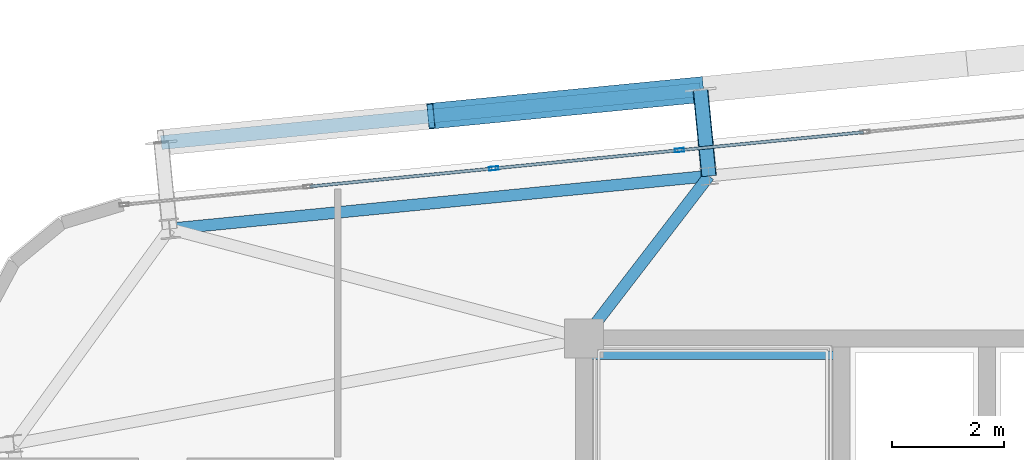
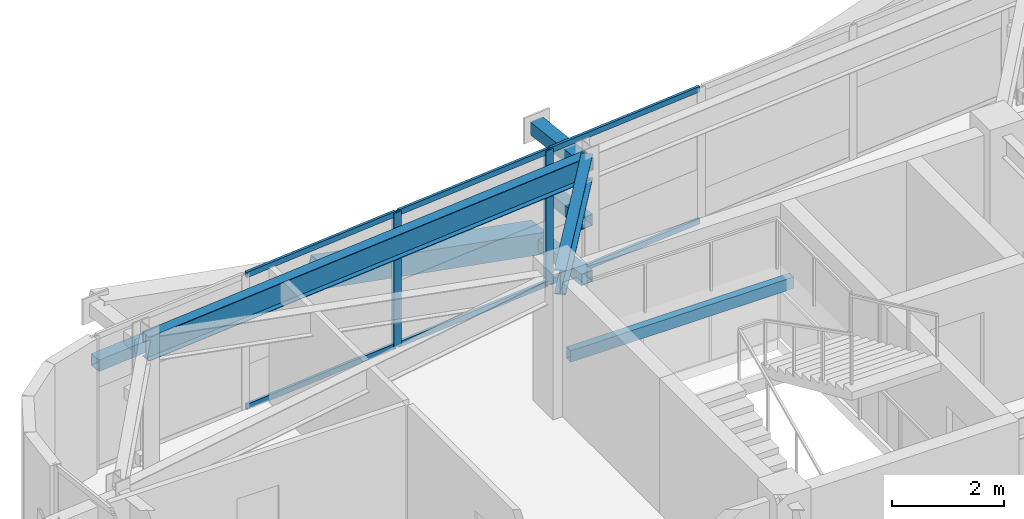
# One storey, part 28 of 53: 13 members, 3 beams, 1 element without a shape of its own.
"""IFC4 building model written with IfcOpenShell, lengths in metres."""

from ifc_helpers import new_model, si_unit, direction, frame, origin, origin_2d, place, context, subcontext, project, spatial, hollow_rectangle, i_section, extrude, source, transform, mapped, material, layer, layer_set, material_profile, profile_set, type_object, element, aggregate, save


model = new_model("IFC4")

# Units and contexts
model_context = context("Model", 3, precision=1e-05, world=origin(), true_north=direction((0.0, 1.0)))
body_context = subcontext(model_context, "Body", "Model", "MODEL_VIEW")
ifc_project = project(units=[si_unit("LENGTHUNIT", "METRE"), si_unit("AREAUNIT", "SQUARE_METRE"), si_unit("VOLUMEUNIT", "CUBIC_METRE"), si_unit("PLANEANGLEUNIT", "RADIAN"), si_unit("MASSUNIT", "GRAM", prefix="KILO")], contexts=[model_context])

# Site, building, storey
site_placement = place(None, origin())
site = spatial("IfcSite", under=ifc_project, at=site_placement, CompositionType="ELEMENT")
building_placement = place(site_placement, origin())
building = spatial("IfcBuilding", under=site, at=building_placement, Name="Taldren Reach Tower", CompositionType="ELEMENT")
storey_placement = place(building_placement, frame((0.0, 0.0, 84.0)))
storey = spatial("IfcBuildingStorey", under=building, at=storey_placement, Name="L25", CompositionType="ELEMENT", Elevation=84.0)

# Beams
ifc_material_1 = material(Name="Steel Gr 350 (350PLUS)", Category="steel")
ifc_material_profile_1 = material_profile(ifc_material_1, i_section(OverallWidth=0.208984375, OverallDepth=0.528076171875, WebThickness=0.009521484375, FlangeThickness=0.01318359375, at=origin_2d()), Name="530UB82.0")
ifc_profile_set_1 = profile_set([ifc_material_profile_1], Name="Steel Gr 350 (350PLUS)")
beam_type_1 = type_object("IfcBeamType", Name="SP-UB530B", PredefinedType="SPANDREL", material=ifc_profile_set_1)
shared_shape_1 = source(origin(), body_context, "Body", "SweptSolid", [
    extrude(i_section(OverallWidth=0.208984375, OverallDepth=0.528076171875, WebThickness=0.009521484375, FlangeThickness=0.01318359375, at=origin_2d()), origin(), (0.0, 0.0, 1.0), 9.679931640625),
])
beam_1_placement = place(storey_placement, frame((21.230712890625, 34.9013671875, 2.666015625), z_axis=(-0.995227612658, -0.097580730699, 0.0), x_axis=(0.097580730699, -0.995227612658, 0.0)))
element("IfcBeam", 1, at=beam_1_placement, inside=storey, type_object=beam_type_1, Name="Perimeter spandrel B2 N2-N1 L25", PredefinedType="SPANDREL", context=body_context, shape_type="MappedRepresentation", body=[
    mapped(shared_shape_1, transform((0.0, 0.0, 0.0), scale=1.0)),
])
ifc_material_profile_2 = material_profile(ifc_material_1, i_section(OverallWidth=0.208984375, OverallDepth=0.532958984375, WebThickness=0.01025390625, FlangeThickness=0.015625, at=origin_2d()), Name="530UB92.4")
ifc_profile_set_2 = profile_set([ifc_material_profile_2], Name="Steel Gr 350 (350PLUS)")
beam_type_2 = type_object("IfcBeamType", Name="BM-UB530A", PredefinedType="BEAM", material=ifc_profile_set_2)
shared_shape_2 = source(origin(), body_context, "Body", "SweptSolid", [
    extrude(i_section(OverallWidth=0.208984375, OverallDepth=0.532958984375, WebThickness=0.01025390625, FlangeThickness=0.015625, at=origin_2d()), origin(), (0.0, 0.0, 1.0), 3.65966796875),
])
beam_2_placement = place(storey_placement, frame((19.0, 32.0, 2.66357421875), z_axis=(0.609520535722, 0.792770279799, 0.0), x_axis=(-0.792770279799, 0.609520535722, 0.0)))
element("IfcBeam", 2, at=beam_2_placement, inside=storey, type_object=beam_type_2, Name="Primary floor girder B2-N2 L25", PredefinedType="BEAM", context=body_context, shape_type="MappedRepresentation", body=[
    mapped(shared_shape_2, transform((0.0, 0.0, 0.0), scale=1.0)),
])

# Members
ifc_material_2 = material(Name="Steel Gr 450 (C450L0)", Category="steel")
ifc_material_profile_3 = material_profile(ifc_material_2, hollow_rectangle(XDim=0.27490234375, YDim=0.27490234375, WallThickness=0.00927734375, at=origin_2d()), Name="275x275x9.3SHS")
ifc_profile_set_3 = profile_set([ifc_material_profile_3], Name="Steel Gr 450 (C450L0)")
member_type_1 = type_object("IfcMemberType", Name="MB-TIE273", PredefinedType="STRUT", material=ifc_profile_set_3)
shared_shape_3 = source(origin(), body_context, "Body", "SweptSolid", [
    extrude(hollow_rectangle(XDim=0.27490234375, YDim=0.27490234375, WallThickness=0.00927734375, at=origin_2d()), origin(), (0.0, 0.0, 1.0), 1.550048828125),
])
member_1_placement = place(storey_placement, frame((21.230712890625, 34.9013671875, 2.64990234375), z_axis=(-0.097647892962, 0.9952210252, 0.0), x_axis=(-0.9952210252, -0.097647892962, 0.0)))
element("IfcMember", 3, at=member_1_placement, inside=storey, type_object=member_type_1, Name="Exoskeleton diaphragm tie strut B2-N2 L25", PredefinedType="STRUT", context=body_context, shape_type="MappedRepresentation", body=[
    mapped(shared_shape_3, transform((0.0, 0.0, 0.0), scale=1.0)),
])
ifc_material_profile_4 = material_profile(ifc_material_2, hollow_rectangle(XDim=0.4599609375, YDim=0.4599609375, WallThickness=0.01611328125, at=origin_2d()), Name="460x460x16.0SHS")
ifc_profile_set_4 = profile_set([ifc_material_profile_4], Name="Steel Gr 450 (C450L0)")
member_type_2 = type_object("IfcMemberType", Name="MB-EXO457", PredefinedType="BRACE", material=ifc_profile_set_4)
shared_shape_4 = source(origin(), body_context, "Body", "SweptSolid", [
    extrude(hollow_rectangle(XDim=0.4599609375, YDim=0.4599609375, WallThickness=0.01611328125, at=origin_2d()), origin(), (0.0, 0.0, 1.0), 4.990234375),
])
member_2_placement = place(storey_placement, frame((21.079345703125, 36.444091796875, 0.219970703125), z_axis=(-0.965271056716, -0.094667992638, 0.243494883389), x_axis=(0.097605711627, -0.995225162995, 0.0)))
element("IfcMember", 4, at=member_2_placement, inside=storey, type_object=member_type_2, Name="Exoskeleton Diagrid Brace B2-N1 L25", PredefinedType="BRACE", context=body_context, shape_type="MappedRepresentation", body=[
    mapped(shared_shape_4, transform((0.0, 0.0, 0.0), scale=1.0)),
])
ifc_material_3 = material(Name="Steel Gr 350 (C350L0)", Category="steel")
ifc_material_profile_5 = material_profile(ifc_material_3, hollow_rectangle(XDim=0.25, YDim=0.25, WallThickness=0.010009765625, at=origin_2d()), Name="250x250x10.0SHS")
ifc_profile_set_5 = profile_set([ifc_material_profile_5], Name="Steel Gr 350 (C350L0)")
member_type_3 = type_object("IfcMemberType", Name="MB-POST250", PredefinedType="POST", material=ifc_profile_set_5)
shared_shape_5 = source(origin(), body_context, "Body", "SweptSolid", [
    extrude(hollow_rectangle(XDim=0.25, YDim=0.25, WallThickness=0.010009765625, at=origin_2d()), origin(), (0.0, 0.0, 1.0), 9.679931640625),
])
member_3_placement = place(storey_placement, frame((11.445556640625, 35.49951171875, 1.43505859375), z_axis=(0.995227612658, 0.097580730699, 0.0), x_axis=(-0.097580730699, 0.995227612658, 0.0)))
element("IfcMember", 5, at=member_3_placement, inside=storey, type_object=member_type_3, Name="Exoskeleton mid-height ring chord B2-N1 L25", PredefinedType="POST", context=body_context, shape_type="MappedRepresentation", body=[
    mapped(shared_shape_5, transform((0.0, 0.0, 0.0), scale=1.0)),
])
shared_shape_6 = source(origin(), body_context, "Body", "SweptSolid", [
    extrude(hollow_rectangle(XDim=0.25, YDim=0.25, WallThickness=0.010009765625, at=origin_2d()), origin(), (0.0, 0.0, 1.0), 1.550048828125),
])
for number, where, z_axis, x_axis, name in (
    (6, (21.230712890625, 34.9013671875, 0.219970703125), (-0.097647892962, 0.9952210252, 0.0), (-0.9952210252, -0.097647892962, 0.0), "Exoskeleton base diaphragm tie strut B2-N2 L25"),
    (7, (21.230712890625, 34.9013671875, 1.43505859375), (-0.097647892962, 0.9952210252, 0.0), (-0.9952210252, -0.097647892962, 0.0), "Exoskeleton mid-tier diaphragm tie B2-N2 L25"),
):
    element("IfcMember", number, at=place(storey_placement, frame(where, z_axis=z_axis, x_axis=x_axis)), inside=storey, type_object=member_type_3, Name=name, PredefinedType="POST", context=body_context, shape_type="MappedRepresentation", body=[
        mapped(shared_shape_6, transform((0.0, 0.0, 0.0), scale=1.0)),
    ])

# Curtain wall, members
ifc_material_4 = material(Name="Aluminium and Low-E Glass Unitised System", Category="aluminium")
ifc_layer = layer(ifc_material_4, 0.159912109375)
ifc_layer_set = layer_set([ifc_layer], Name="Aluminium and Low-E Glass Unitised System")
curtain_wall_type = type_object("IfcCurtainWallType", Name="CW-SYS-3", PredefinedType="NOTDEFINED", material=ifc_layer_set)
curtain_wall_placement = place(storey_placement, origin())
curtain_wall = element("IfcCurtainWall", 8, at=curtain_wall_placement, inside=storey, type_object=curtain_wall_type, Name="Unitised curtain wall CW-L25-N", PredefinedType="NOTDEFINED")
ifc_material_5 = material(Name="Anodised Aluminium 6063-T6", Category="aluminium")
ifc_material_profile_6 = material_profile(ifc_material_5, hollow_rectangle(XDim=0.06494140625, YDim=0.1650390625, WallThickness=0.00390625, at=origin_2d()), Name="ALU-165x65x4RHS")
ifc_profile_set_6 = profile_set([ifc_material_profile_6], Name="Anodised Aluminium 6063-T6")
member_type_4 = type_object("IfcMemberType", Name="CW-MUL-165", PredefinedType="MULLION", material=ifc_profile_set_6)
shared_shape_7 = source(origin(), body_context, "Body", "SweptSolid", [
    extrude(hollow_rectangle(XDim=0.06494140625, YDim=0.1650390625, WallThickness=0.00390625, at=origin_2d()), origin(), (0.0, 0.0, 1.0), 2.929931640625),
])
member_4_placement = place(storey_placement, frame((20.703125, 35.3623046875, 0.0), z_axis=(0.0, 0.0, 1.0), x_axis=(0.097582999046, -0.995227390247, 0.0)))
member_4 = element("IfcMember", 9, at=member_4_placement, type_object=member_type_4, Name="CW-3 mullion 13", PredefinedType="MULLION", context=body_context, shape_type="MappedRepresentation", body=[
    mapped(shared_shape_7, transform((0.0, 0.0, 0.0), scale=1.0)),
])
member_5_placement = place(storey_placement, frame((17.3857421875, 35.036865234375, 0.0), z_axis=(0.0, 0.0, 1.0), x_axis=(0.097582999046, -0.995227390247, 0.0)))
member_5 = element("IfcMember", 10, at=member_5_placement, type_object=member_type_4, Name="CW-3 mullion 14", PredefinedType="MULLION", context=body_context, shape_type="MappedRepresentation", body=[
    mapped(shared_shape_7, transform((0.0, 0.0, 0.0), scale=1.0)),
])
ifc_material_profile_7 = material_profile(ifc_material_5, hollow_rectangle(XDim=0.054931640625, YDim=0.1201171875, WallThickness=0.0029296875, at=origin_2d()), Name="ALU-120x55x3RHS")
ifc_profile_set_7 = profile_set([ifc_material_profile_7], Name="Anodised Aluminium 6063-T6")
member_type_5 = type_object("IfcMemberType", Name="CW-TRN-135", PredefinedType="USERDEFINED", material=ifc_profile_set_7)
shared_shape_8 = source(origin(), body_context, "Body", "SweptSolid", [
    extrude(hollow_rectangle(XDim=0.054931640625, YDim=0.1201171875, WallThickness=0.0029296875, at=origin_2d()), origin(), (0.0, 0.0, 1.0), 3.268310546875),
])
member_6_placement = place(storey_placement, frame((23.98828125, 35.684326171875, 0.027587890625), z_axis=(-0.99522980512, -0.097558367146, 0.0), x_axis=(0.097558367146, -0.99522980512, 0.0)))
member_6 = element("IfcMember", 11, at=member_6_placement, type_object=member_type_5, Name="CW-3 transom 12.1", ObjectType="TRANSOM", PredefinedType="USERDEFINED", context=body_context, shape_type="MappedRepresentation", body=[
    mapped(shared_shape_8, transform((0.0, 0.0, 0.0), scale=1.0)),
])
member_7_placement = place(storey_placement, frame((23.98828125, 35.684326171875, 2.902587890625), z_axis=(-0.99522980512, -0.097558367146, 0.0), x_axis=(0.097558367146, -0.99522980512, 0.0)))
member_7 = element("IfcMember", 12, at=member_7_placement, type_object=member_type_5, Name="CW-3 transom 12.2", ObjectType="TRANSOM", PredefinedType="USERDEFINED", context=body_context, shape_type="MappedRepresentation", body=[
    mapped(shared_shape_8, transform((0.0, 0.0, 0.0), scale=1.0)),
])
member_8_placement = place(storey_placement, frame((17.353271484375, 35.03369140625, 0.027587890625), z_axis=(-0.99522980512, -0.097558367146, 0.0), x_axis=(0.097558367146, -0.99522980512, 0.0)))
member_8 = element("IfcMember", 13, at=member_8_placement, type_object=member_type_5, Name="CW-3 transom 14.1", ObjectType="TRANSOM", PredefinedType="USERDEFINED", context=body_context, shape_type="MappedRepresentation", body=[
    mapped(shared_shape_8, transform((0.0, 0.0, 0.0), scale=1.0)),
])
member_9_placement = place(storey_placement, frame((17.353271484375, 35.03369140625, 2.902587890625), z_axis=(-0.99522980512, -0.097558367146, 0.0), x_axis=(0.097558367146, -0.99522980512, 0.0)))
member_9 = element("IfcMember", 14, at=member_9_placement, type_object=member_type_5, Name="CW-3 transom 14.2", ObjectType="TRANSOM", PredefinedType="USERDEFINED", context=body_context, shape_type="MappedRepresentation", body=[
    mapped(shared_shape_8, transform((0.0, 0.0, 0.0), scale=1.0)),
])
shared_shape_9 = source(origin(), body_context, "Body", "SweptSolid", [
    extrude(hollow_rectangle(XDim=0.054931640625, YDim=0.1201171875, WallThickness=0.0029296875, at=origin_2d()), origin(), (0.0, 0.0, 1.0), 3.2685546875),
])
member_10_placement = place(storey_placement, frame((20.6708984375, 35.359130859375, 0.027587890625), z_axis=(-0.995223261527, -0.09762509778, 0.0), x_axis=(0.09762509778, -0.995223261527, 0.0)))
member_10 = element("IfcMember", 15, at=member_10_placement, type_object=member_type_5, Name="CW-3 transom 13.1", ObjectType="TRANSOM", PredefinedType="USERDEFINED", context=body_context, shape_type="MappedRepresentation", body=[
    mapped(shared_shape_9, transform((0.0, 0.0, 0.0), scale=1.0)),
])
member_11_placement = place(storey_placement, frame((20.6708984375, 35.359130859375, 2.902587890625), z_axis=(-0.995223261527, -0.09762509778, 0.0), x_axis=(0.09762509778, -0.995223261527, 0.0)))
member_11 = element("IfcMember", 16, at=member_11_placement, type_object=member_type_5, Name="CW-3 transom 13.2", ObjectType="TRANSOM", PredefinedType="USERDEFINED", context=body_context, shape_type="MappedRepresentation", body=[
    mapped(shared_shape_9, transform((0.0, 0.0, 0.0), scale=1.0)),
])
aggregate(curtain_wall, [member_4, member_5, member_6, member_7, member_10, member_11, member_8, member_9])

# Beam
ifc_material_profile_8 = material_profile(ifc_material_3, hollow_rectangle(XDim=0.14990234375, YDim=0.25, WallThickness=0.009033203125, at=origin_2d()), Name="250x150x9.0RHS")
ifc_profile_set_8 = profile_set([ifc_material_profile_8], Name="Steel Gr 350 (C350L0)")
beam_type_3 = type_object("IfcBeamType", Name="LN-RHS250", PredefinedType="LINTEL", material=ifc_profile_set_8)
shared_shape_10 = source(origin(), body_context, "Body", "SweptSolid", [
    extrude(hollow_rectangle(XDim=0.14990234375, YDim=0.25, WallThickness=0.009033203125, at=origin_2d()), origin(), (0.0, 0.0, 1.0), 4.60009765625),
])
beam_3_placement = place(storey_placement, frame((19.0, 31.699951171875, 1.27001953125), z_axis=(1.0, 0.0, 0.0), x_axis=(0.0, 1.0, 0.0)))
element("IfcBeam", 17, at=beam_3_placement, inside=storey, type_object=beam_type_3, Name="Stair half-landing support beam ST1-L25-2", PredefinedType="LINTEL", context=body_context, shape_type="MappedRepresentation", body=[
    mapped(shared_shape_10, transform((0.0, 0.0, 0.0), scale=1.0)),
])

save(model, "model.ifc")
